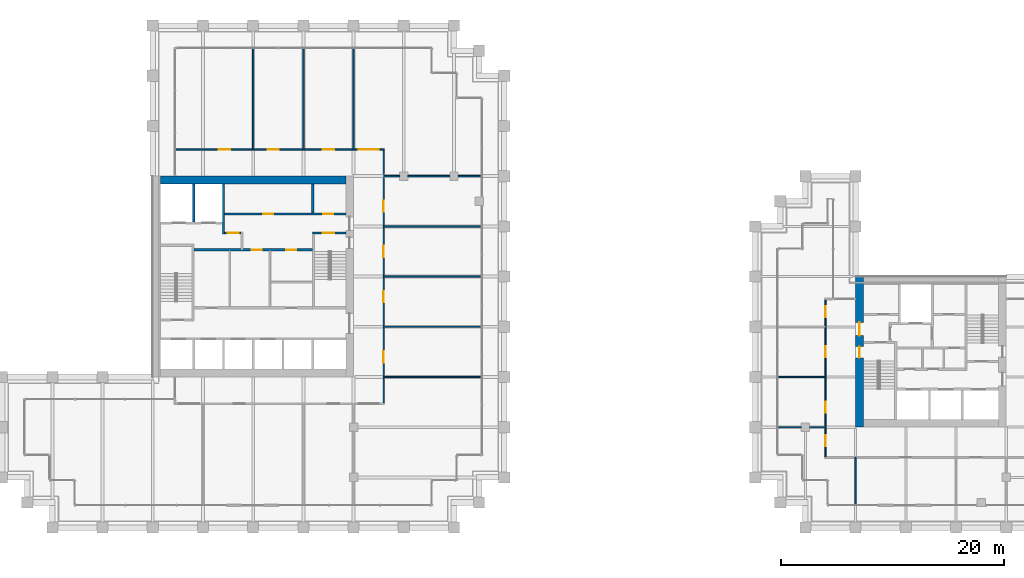
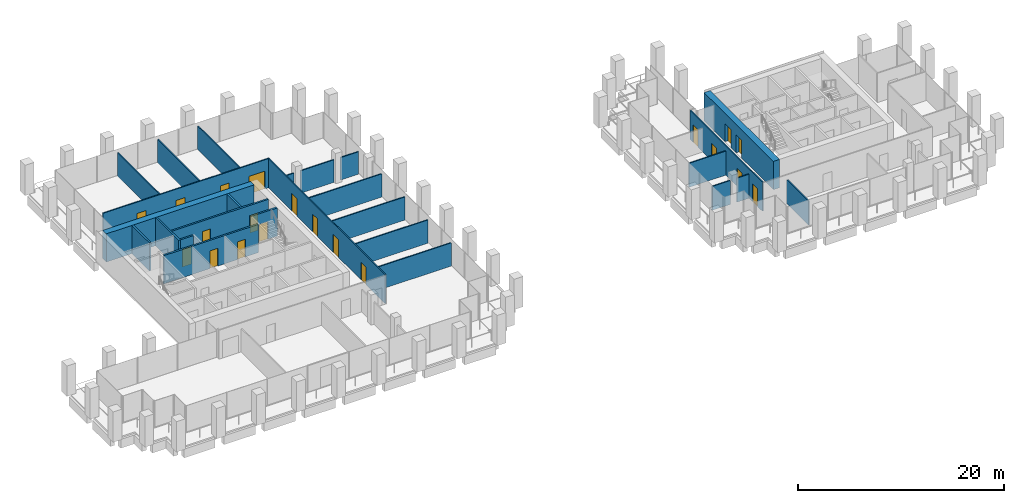
# One storey, part 42 of 47: 26 walls, 20 doors, 20 openings.
"""IFC4 building model written with IfcOpenShell, lengths in metres."""

from ifc_helpers import new_model, si_unit, direction, frame, frame_2d, origin, place, context, subcontext, project, spatial, rectangle, extrude, material, layer, layer_set, type_object, element, fill, save


model = new_model("IFC4")

# Units and contexts
model_context = context("Model", 3, precision=1e-05, world=origin(), true_north=direction((0.0, 1.0)))
body_context = subcontext(model_context, "Body", "Model", "MODEL_VIEW")
ifc_project = project(units=[si_unit("LENGTHUNIT", "METRE"), si_unit("AREAUNIT", "SQUARE_METRE"), si_unit("VOLUMEUNIT", "CUBIC_METRE"), si_unit("PLANEANGLEUNIT", "RADIAN"), si_unit("MASSUNIT", "GRAM", prefix="KILO")], contexts=[model_context])

# Site, building, storey
site_placement = place(None, origin())
site = spatial("IfcSite", under=ifc_project, at=site_placement, CompositionType="ELEMENT")
building_placement = place(site_placement, origin())
building = spatial("IfcBuilding", under=site, at=building_placement, Name="Altepetl Exchange Towers", CompositionType="ELEMENT")
storey_placement = place(building_placement, frame((0.0, 0.0, 99.199951171875)))
storey = spatial("IfcBuildingStorey", under=building, at=storey_placement, Name="L24", CompositionType="ELEMENT", Elevation=99.199951171875)

# Wall
ifc_material_1 = material(Name="Concrete C70/85", Category="concrete")
ifc_layer_1 = layer(ifc_material_1, 0.699951171875)
ifc_layer_set_1 = layer_set([ifc_layer_1], Name="Concrete C70/85")
wall_type_1 = type_object("IfcWallType", Name="Core wall 700 reinforced concrete", PredefinedType="SHEAR", material=ifc_layer_set_1)
wall_1_placement = place(storey_placement, frame((41.199951171875, 58.14990234375, 0.0)))
element("IfcWall", 1, at=wall_1_placement, inside=storey, type_object=wall_type_1, Name="wall:A:L24:K-coreN", PredefinedType="SHEAR", context=body_context, shape_type="SweptSolid", body=[
    extrude(rectangle(XDim=16.60009765625, YDim=0.699951171875, at=frame_2d((8.300048828125, 0.0))), origin(), (0.0, 0.0, 1.0), 3.35009765625),
])

# Wall, openings, doors
wall_2_placement = place(storey_placement, frame((103.85009765625, 36.0, 0.0), z_axis=(0.0, 0.0, 1.0), x_axis=(0.0, 1.0, 0.0)))
wall_2 = element("IfcWall", 2, at=wall_2_placement, inside=storey, type_object=wall_type_1, Name="wall:B:L24:K-coreW", PredefinedType="SHEAR", context=body_context, shape_type="SweptSolid", body=[
    extrude(rectangle(XDim=13.5, YDim=0.699951171875, at=frame_2d((6.75, 0.0))), origin(), (0.0, 0.0, 1.0), 3.35009765625),
])
opening_1_placement = place(wall_2_placement, frame((8.199951171875, 0.0, 0.0)))
opening_1 = element("IfcOpeningElement", 3, at=opening_1_placement, cuts=wall_2, Name="Opening L24.B60", PredefinedType="OPENING", context=body_context, shape_type="SweptSolid", body=[
    extrude(rectangle(XDim=1.199951171875, YDim=2.10009765625, at=frame_2d((0.60009765625, 1.050048828125))), frame((0.0, 0.35986328125, 0.0), z_axis=(0.0, -1.0, 0.0), x_axis=(1.0, 0.0, 0.0)), (0.0, 0.0, 1.0), 0.719970703125),
])
opening_2_placement = place(wall_2_placement, frame((6.22509765625, 0.0, 0.0)))
opening_2 = element("IfcOpeningElement", 4, at=opening_2_placement, cuts=wall_2, Name="Opening L24.B63", PredefinedType="OPENING", context=body_context, shape_type="SweptSolid", body=[
    extrude(rectangle(XDim=1.0, YDim=2.10009765625, at=frame_2d((0.5, 1.050048828125))), frame((0.0, 0.35986328125, 0.0), z_axis=(0.0, -1.0, 0.0), x_axis=(1.0, 0.0, 0.0)), (0.0, 0.0, 1.0), 0.719970703125),
])
ifc_material_2 = material(Name="Steel and timber fire door", Category="steel")
door_type_1 = type_object("IfcDoorType", Name="Fire door 1000 x 2100 stair and lobby", OperationType="SINGLE_SWING_LEFT", PredefinedType="DOOR", material=ifc_material_2)
door_1_placement = place(opening_2_placement, frame((1.0, 0.0, 0.0), x_axis=(-1.0, 0.0, 0.0)))
door_1 = element("IfcDoor", 5, at=door_1_placement, inside=storey, type_object=door_type_1, Name="door:B:L24:K-dS1x", OperationType="SINGLE_SWING_RIGHT", OverallHeight=2.10009765625, OverallWidth=1.0, PredefinedType="DOOR", context=body_context, shape_type="SweptSolid", body=[
    extrude(rectangle(XDim=1.0, YDim=2.10009765625, at=frame_2d((0.5, 1.050048828125))), frame((0.0, 0.02490234375, 0.0), z_axis=(0.0, -1.0, 0.0), x_axis=(1.0, 0.0, 0.0)), (0.0, 0.0, 1.0), 0.050048828125),
])
fill(opening_2, door_1)
door_type_2 = type_object("IfcDoorType", Name="Fire door 1200 x 2100 lobby entry", OperationType="SINGLE_SWING_LEFT", PredefinedType="DOOR", material=ifc_material_2)
door_2_placement = place(opening_1_placement, frame((1.199951171875, 0.0, 0.0), x_axis=(-1.0, 0.0, 0.0)))
door_2 = element("IfcDoor", 6, at=door_2_placement, inside=storey, type_object=door_type_2, Name="door:B:L24:K-dLNW", OperationType="SINGLE_SWING_RIGHT", OverallHeight=2.10009765625, OverallWidth=1.199951171875, PredefinedType="DOOR", context=body_context, shape_type="SweptSolid", body=[
    extrude(rectangle(XDim=1.199951171875, YDim=2.10009765625, at=frame_2d((0.60009765625, 1.050048828125))), frame((0.0, 0.02490234375, 0.0), z_axis=(0.0, -1.0, 0.0), x_axis=(1.0, 0.0, 0.0)), (0.0, 0.0, 1.0), 0.050048828125),
])
fill(opening_1, door_2)

# Wall, opening, door
ifc_material_3 = material(Name="Concrete blockwork", Category="masonry")
ifc_layer_2 = layer(ifc_material_3, 0.199951171875)
ifc_layer_set_2 = layer_set([ifc_layer_2], Name="Concrete blockwork")
wall_type_2 = type_object("IfcWallType", Name="Lobby wall 200 blockwork", PredefinedType="PARTITIONING", material=ifc_layer_set_2)
wall_3_placement = place(storey_placement, frame((46.933349609375, 53.39990234375, 0.0)))
wall_3 = element("IfcWall", 7, at=wall_3_placement, inside=storey, type_object=wall_type_2, Name="wall:A:L24:K-ffN", PredefinedType="PARTITIONING", context=body_context, shape_type="SweptSolid", body=[
    extrude(rectangle(XDim=1.466552734375, YDim=0.199951171875, at=frame_2d((0.7333984375, 0.0))), origin(), (0.0, 0.0, 1.0), 3.35009765625),
])
opening_3_placement = place(wall_3_placement, frame((0.2666015625, 0.0, 0.0)))
opening_3 = element("IfcOpeningElement", 8, at=opening_3_placement, cuts=wall_3, Name="Opening L24.A65", PredefinedType="OPENING", context=body_context, shape_type="SweptSolid", body=[
    extrude(rectangle(XDim=1.0, YDim=2.10009765625, at=frame_2d((0.5, 1.050048828125))), frame((0.0, 0.10986328125, 0.0), z_axis=(0.0, -1.0, 0.0), x_axis=(1.0, 0.0, 0.0)), (0.0, 0.0, 1.0), 0.219970703125),
])
door_3_placement = place(opening_3_placement, frame((1.0, 0.0, 0.0), x_axis=(-1.0, 0.0, 0.0)))
door_3 = element("IfcDoor", 9, at=door_3_placement, inside=storey, type_object=door_type_1, Name="door:A:L24:K-dffN", OperationType="SINGLE_SWING_LEFT", OverallHeight=2.10009765625, OverallWidth=1.0, PredefinedType="DOOR", context=body_context, shape_type="SweptSolid", body=[
    extrude(rectangle(XDim=1.0, YDim=2.10009765625, at=frame_2d((0.5, 1.050048828125))), frame((0.0, 0.02490234375, 0.0), z_axis=(0.0, -1.0, 0.0), x_axis=(1.0, 0.0, 0.0)), (0.0, 0.0, 1.0), 0.050048828125),
])
fill(opening_3, door_3)

# Wall, openings, doors
wall_4_placement = place(storey_placement, frame((44.199951171875, 51.89990234375, 0.0)))
wall_4 = element("IfcWall", 10, at=wall_4_placement, inside=storey, type_object=wall_type_2, Name="wall:A:L24:K-zoneN", PredefinedType="PARTITIONING", context=body_context, shape_type="SweptSolid", body=[
    extrude(rectangle(XDim=10.60009765625, YDim=0.199951171875, at=frame_2d((5.300048828125, 0.0))), origin(), (0.0, 0.0, 1.0), 3.35009765625),
])
opening_4_placement = place(wall_4_placement, frame((5.175048828125, 0.0, 0.0)))
opening_4 = element("IfcOpeningElement", 11, at=opening_4_placement, cuts=wall_4, Name="Opening L24.A69", PredefinedType="OPENING", context=body_context, shape_type="SweptSolid", body=[
    extrude(rectangle(XDim=0.89990234375, YDim=2.10009765625, at=frame_2d((0.449951171875, 1.050048828125))), frame((0.0, 0.10986328125, 0.0), z_axis=(0.0, -1.0, 0.0), x_axis=(1.0, 0.0, 0.0)), (0.0, 0.0, 1.0), 0.219970703125),
])
opening_5_placement = place(wall_4_placement, frame((8.25, 0.0, 0.0)))
opening_5 = element("IfcOpeningElement", 12, at=opening_5_placement, cuts=wall_4, Name="Opening L24.A71", PredefinedType="OPENING", context=body_context, shape_type="SweptSolid", body=[
    extrude(rectangle(XDim=0.89990234375, YDim=2.10009765625, at=frame_2d((0.449951171875, 1.050048828125))), frame((0.0, 0.10986328125, 0.0), z_axis=(0.0, -1.0, 0.0), x_axis=(1.0, 0.0, 0.0)), (0.0, 0.0, 1.0), 0.219970703125),
])
door_type_3 = type_object("IfcDoorType", Name="Fire door 900 x 2100 service room", OperationType="SINGLE_SWING_LEFT", PredefinedType="DOOR", material=ifc_material_2)
door_4_placement = place(opening_4_placement, frame((0.89990234375, 0.0, 0.0), x_axis=(-1.0, 0.0, 0.0)))
door_4 = element("IfcDoor", 13, at=door_4_placement, inside=storey, type_object=door_type_3, Name="door:A:L24:K-dz2", OperationType="SINGLE_SWING_LEFT", OverallHeight=2.10009765625, OverallWidth=0.89990234375, PredefinedType="DOOR", context=body_context, shape_type="SweptSolid", body=[
    extrude(rectangle(XDim=0.89990234375, YDim=2.10009765625, at=frame_2d((0.449951171875, 1.050048828125))), frame((0.0, 0.02490234375, 0.0), z_axis=(0.0, -1.0, 0.0), x_axis=(1.0, 0.0, 0.0)), (0.0, 0.0, 1.0), 0.050048828125),
])
fill(opening_4, door_4)
door_5_placement = place(opening_5_placement, frame((0.89990234375, 0.0, 0.0), x_axis=(-1.0, 0.0, 0.0)))
door_5 = element("IfcDoor", 14, at=door_5_placement, inside=storey, type_object=door_type_3, Name="door:A:L24:K-dz4", OperationType="SINGLE_SWING_LEFT", OverallHeight=2.10009765625, OverallWidth=0.89990234375, PredefinedType="DOOR", context=body_context, shape_type="SweptSolid", body=[
    extrude(rectangle(XDim=0.89990234375, YDim=2.10009765625, at=frame_2d((0.449951171875, 1.050048828125))), frame((0.0, 0.02490234375, 0.0), z_axis=(0.0, -1.0, 0.0), x_axis=(1.0, 0.0, 0.0)), (0.0, 0.0, 1.0), 0.050048828125),
])
fill(opening_5, door_5)

# Walls
ifc_material_4 = material(Name="Timber panels on aluminium track", Category="wood")
ifc_layer_3 = layer(ifc_material_4, 0.125)
ifc_layer_set_3 = layer_set([ifc_layer_3], Name="Timber panels on aluminium track")
wall_type_3 = type_object("IfcWallType", Name="Operable acoustic partition 125", PredefinedType="MOVABLE", material=ifc_layer_set_3)
for number, where, name in (
    (15, (61.199951171875, 45.0, 0.0), "wall:A:L24:P03"),
    (16, (61.199951171875, 49.5, 0.0), "wall:A:L24:P04"),
    (17, (61.199951171875, 54.0, 0.0), "wall:A:L24:P05"),
):
    element("IfcWall", number, at=place(storey_placement, frame(where)), inside=storey, type_object=wall_type_3, Name=name, PredefinedType="MOVABLE", context=body_context, shape_type="SweptSolid", body=[
        extrude(rectangle(XDim=8.699951171875, YDim=0.125, at=frame_2d((4.35009765625, 0.0))), origin(), (0.0, 0.0, 1.0), 2.76611328125),
    ])
wall_5_placement = place(storey_placement, frame((96.60009765625, 40.5, 0.0)))
element("IfcWall", 18, at=wall_5_placement, inside=storey, type_object=wall_type_3, Name="wall:B:L24:P05", PredefinedType="MOVABLE", context=body_context, shape_type="SweptSolid", body=[
    extrude(rectangle(XDim=4.199951171875, YDim=0.125, at=frame_2d((2.10009765625, 0.0))), origin(), (0.0, 0.0, 1.0), 2.85107421875),
])
ifc_material_5 = material(Name="Gypsum board on steel studs", Category="steel")
ifc_layer_4 = layer(ifc_material_5, 0.125)
ifc_layer_set_4 = layer_set([ifc_layer_4], Name="Gypsum board on steel studs")
wall_type_4 = type_object("IfcWallType", Name="Partition 125 gypsum board on steel studs", PredefinedType="PARTITIONING", material=ifc_layer_set_4)
wall_6_placement = place(storey_placement, frame((61.199951171875, 40.5, 0.0)))
element("IfcWall", 19, at=wall_6_placement, inside=storey, type_object=wall_type_4, Name="wall:A:L24:P02", PredefinedType="PARTITIONING", context=body_context, shape_type="SweptSolid", body=[
    extrude(rectangle(XDim=8.699951171875, YDim=0.125, at=frame_2d((4.35009765625, 0.0))), origin(), (0.0, 0.0, 1.0), 2.76611328125),
])
wall_7_placement = place(storey_placement, frame((61.199951171875, 58.5, 0.0)))
element("IfcWall", 20, at=wall_7_placement, inside=storey, type_object=wall_type_4, Name="wall:A:L24:P06", PredefinedType="PARTITIONING", context=body_context, shape_type="SweptSolid", body=[
    extrude(rectangle(XDim=1.425048828125, YDim=0.125, at=frame_2d((0.71240234375, 0.0))), origin(), (0.0, 0.0, 1.0), 2.676025390625),
])
wall_8_placement = place(storey_placement, frame((63.375, 58.5, 0.0)))
element("IfcWall", 21, at=wall_8_placement, inside=storey, type_object=wall_type_4, Name="wall:A:L24:P07", PredefinedType="PARTITIONING", context=body_context, shape_type="SweptSolid", body=[
    extrude(rectangle(XDim=3.75, YDim=0.125, at=frame_2d((1.875, 0.0))), origin(), (0.0, 0.0, 1.0), 2.676025390625),
])
wall_9_placement = place(storey_placement, frame((67.875, 58.5, 0.0)))
element("IfcWall", 22, at=wall_9_placement, inside=storey, type_object=wall_type_4, Name="wall:A:L24:P08", PredefinedType="PARTITIONING", context=body_context, shape_type="SweptSolid", body=[
    extrude(rectangle(XDim=2.02490234375, YDim=0.125, at=frame_2d((1.012451171875, 0.0))), origin(), (0.0, 0.0, 1.0), 2.676025390625),
])

# Wall, openings, doors
wall_10_placement = place(storey_placement, frame((42.60009765625, 60.89990234375, 0.0)))
wall_10 = element("IfcWall", 23, at=wall_10_placement, inside=storey, type_object=wall_type_4, Name="wall:A:L24:P09", PredefinedType="PARTITIONING", context=body_context, shape_type="SweptSolid", body=[
    extrude(rectangle(XDim=18.662353515625, YDim=0.125, at=frame_2d((9.3310546875, 0.0))), origin(), (0.0, 0.0, 1.0), 3.449951171875),
])
opening_6_placement = place(wall_10_placement, frame((16.35009765625, 0.0, 0.0)))
opening_6 = element("IfcOpeningElement", 24, at=opening_6_placement, cuts=wall_10, Name="Opening L24.A09", PredefinedType="OPENING", context=body_context, shape_type="SweptSolid", body=[
    extrude(rectangle(XDim=1.800048828125, YDim=2.10009765625, at=frame_2d((0.89990234375, 1.050048828125))), frame((0.0, 0.072509765625, 0.0), z_axis=(0.0, -1.0, 0.0), x_axis=(1.0, 0.0, 0.0)), (0.0, 0.0, 1.0), 0.14501953125),
])
opening_7_placement = place(wall_10_placement, frame((13.14990234375, 0.0, 0.0)))
opening_7 = element("IfcOpeningElement", 25, at=opening_7_placement, cuts=wall_10, Name="Opening L24.A10", PredefinedType="OPENING", context=body_context, shape_type="SweptSolid", body=[
    extrude(rectangle(XDim=1.0, YDim=2.10009765625, at=frame_2d((0.5, 1.050048828125))), frame((0.0, 0.072509765625, 0.0), z_axis=(0.0, -1.0, 0.0), x_axis=(1.0, 0.0, 0.0)), (0.0, 0.0, 1.0), 0.14501953125),
])
opening_8_placement = place(wall_10_placement, frame((8.195068359375, 0.0, 0.0)))
opening_8 = element("IfcOpeningElement", 26, at=opening_8_placement, cuts=wall_10, Name="Opening L24.A11", PredefinedType="OPENING", context=body_context, shape_type="SweptSolid", body=[
    extrude(rectangle(XDim=1.0, YDim=2.10009765625, at=frame_2d((0.5, 1.050048828125))), frame((0.0, 0.072509765625, 0.0), z_axis=(0.0, -1.0, 0.0), x_axis=(1.0, 0.0, 0.0)), (0.0, 0.0, 1.0), 0.14501953125),
])
opening_9_placement = place(wall_10_placement, frame((3.824951171875, 0.0, 0.0)))
opening_9 = element("IfcOpeningElement", 27, at=opening_9_placement, cuts=wall_10, Name="Opening L24.A12", PredefinedType="OPENING", context=body_context, shape_type="SweptSolid", body=[
    extrude(rectangle(XDim=1.0, YDim=2.10009765625, at=frame_2d((0.5, 1.050048828125))), frame((0.0, 0.072509765625, 0.0), z_axis=(0.0, -1.0, 0.0), x_axis=(1.0, 0.0, 0.0)), (0.0, 0.0, 1.0), 0.14501953125),
])
door_type_4 = type_object("IfcDoorType", Name="Fire door 1000 x 2100 single leaf", OperationType="SINGLE_SWING_LEFT", PredefinedType="DOOR", material=ifc_material_2)
door_6_placement = place(opening_7_placement, origin())
door_6 = element("IfcDoor", 28, at=door_6_placement, inside=storey, type_object=door_type_4, Name="door:A:L24:10", OperationType="SINGLE_SWING_LEFT", OverallHeight=2.10009765625, OverallWidth=1.0, PredefinedType="DOOR", context=body_context, shape_type="SweptSolid", body=[
    extrude(rectangle(XDim=1.0, YDim=2.10009765625, at=frame_2d((0.5, 1.050048828125))), frame((0.0, 0.02490234375, 0.0), z_axis=(0.0, -1.0, 0.0), x_axis=(1.0, 0.0, 0.0)), (0.0, 0.0, 1.0), 0.050048828125),
])
fill(opening_7, door_6)
door_7_placement = place(opening_8_placement, origin())
door_7 = element("IfcDoor", 29, at=door_7_placement, inside=storey, type_object=door_type_4, Name="door:A:L24:11", OperationType="SINGLE_SWING_RIGHT", OverallHeight=2.10009765625, OverallWidth=1.0, PredefinedType="DOOR", context=body_context, shape_type="SweptSolid", body=[
    extrude(rectangle(XDim=1.0, YDim=2.10009765625, at=frame_2d((0.5, 1.050048828125))), frame((0.0, 0.02490234375, 0.0), z_axis=(0.0, -1.0, 0.0), x_axis=(1.0, 0.0, 0.0)), (0.0, 0.0, 1.0), 0.050048828125),
])
fill(opening_8, door_7)
door_8_placement = place(opening_9_placement, origin())
door_8 = element("IfcDoor", 30, at=door_8_placement, inside=storey, type_object=door_type_4, Name="door:A:L24:12", OperationType="SINGLE_SWING_LEFT", OverallHeight=2.10009765625, OverallWidth=1.0, PredefinedType="DOOR", context=body_context, shape_type="SweptSolid", body=[
    extrude(rectangle(XDim=1.0, YDim=2.10009765625, at=frame_2d((0.5, 1.050048828125))), frame((0.0, 0.02490234375, 0.0), z_axis=(0.0, -1.0, 0.0), x_axis=(1.0, 0.0, 0.0)), (0.0, 0.0, 1.0), 0.050048828125),
])
fill(opening_9, door_8)
door_type_5 = type_object("IfcDoorType", Name="Fire door 1800 x 2100 double leaf", OperationType="DOUBLE_DOOR_SINGLE_SWING", PredefinedType="DOOR", material=ifc_material_2)
door_9_placement = place(opening_6_placement, origin())
door_9 = element("IfcDoor", 31, at=door_9_placement, inside=storey, type_object=door_type_5, Name="door:A:L24:09", OperationType="DOUBLE_DOOR_SINGLE_SWING", OverallHeight=2.10009765625, OverallWidth=1.800048828125, PredefinedType="DOOR", context=body_context, shape_type="SweptSolid", body=[
    extrude(rectangle(XDim=1.800048828125, YDim=2.10009765625, at=frame_2d((0.89990234375, 1.050048828125))), frame((0.0, 0.02490234375, 0.0), z_axis=(0.0, -1.0, 0.0), x_axis=(1.0, 0.0, 0.0)), (0.0, 0.0, 1.0), 0.050048828125),
])
fill(opening_6, door_9)

# Walls
for number, where, z_axis, x_axis, name in (
    (32, (49.5, 60.89990234375, 0.0), (0.0, 0.0, 1.0), (0.0, 1.0, 0.0), "wall:A:L24:P12"),
    (33, (54.0, 60.89990234375, 0.0), (0.0, 0.0, 1.0), (0.0, 1.0, 0.0), "wall:A:L24:P14"),
    (34, (58.5, 60.89990234375, 0.0), (0.0, 0.0, 1.0), (0.0, 1.0, 0.0), "wall:A:L24:P18"),
):
    element("IfcWall", number, at=place(storey_placement, frame(where, z_axis=z_axis, x_axis=x_axis)), inside=storey, type_object=wall_type_4, Name=name, PredefinedType="PARTITIONING", context=body_context, shape_type="SweptSolid", body=[
        extrude(rectangle(XDim=9.0, YDim=0.125, at=frame_2d((4.5, 0.0))), origin(), (0.0, 0.0, 1.0), 2.76611328125),
    ])

# Wall, openings, doors
wall_11_placement = place(storey_placement, frame((61.199951171875, 38.16259765625, 0.0), z_axis=(0.0, 0.0, 1.0), x_axis=(0.0, 1.0, 0.0)))
wall_11 = element("IfcWall", 35, at=wall_11_placement, inside=storey, type_object=wall_type_4, Name="wall:A:L24:P19", PredefinedType="PARTITIONING", context=body_context, shape_type="SweptSolid", body=[
    extrude(rectangle(XDim=22.6748046875, YDim=0.125, at=frame_2d((11.33740234375, 0.0))), origin(), (0.0, 0.0, 1.0), 3.449951171875),
])
opening_10_placement = place(wall_11_placement, frame((3.632568359375, 0.0, 0.0)))
opening_10 = element("IfcOpeningElement", 36, at=opening_10_placement, cuts=wall_11, Name="Opening L24.A05", PredefinedType="OPENING", context=body_context, shape_type="SweptSolid", body=[
    extrude(rectangle(XDim=1.0, YDim=2.10009765625, at=frame_2d((0.5, 1.050048828125))), frame((0.0, 0.072509765625, 0.0), z_axis=(0.0, -1.0, 0.0), x_axis=(1.0, 0.0, 0.0)), (0.0, 0.0, 1.0), 0.14501953125),
])
opening_11_placement = place(wall_11_placement, frame((9.04248046875, 0.0, 0.0)))
opening_11 = element("IfcOpeningElement", 37, at=opening_11_placement, cuts=wall_11, Name="Opening L24.A06", PredefinedType="OPENING", context=body_context, shape_type="SweptSolid", body=[
    extrude(rectangle(XDim=1.0, YDim=2.10009765625, at=frame_2d((0.5, 1.050048828125))), frame((0.0, 0.072509765625, 0.0), z_axis=(0.0, -1.0, 0.0), x_axis=(1.0, 0.0, 0.0)), (0.0, 0.0, 1.0), 0.14501953125),
])
opening_12_placement = place(wall_11_placement, frame((13.08740234375, 0.0, 0.0)))
opening_12 = element("IfcOpeningElement", 38, at=opening_12_placement, cuts=wall_11, Name="Opening L24.A07", PredefinedType="OPENING", context=body_context, shape_type="SweptSolid", body=[
    extrude(rectangle(XDim=1.0, YDim=2.10009765625, at=frame_2d((0.5, 1.050048828125))), frame((0.0, 0.072509765625, 0.0), z_axis=(0.0, -1.0, 0.0), x_axis=(1.0, 0.0, 0.0)), (0.0, 0.0, 1.0), 0.14501953125),
])
opening_13_placement = place(wall_11_placement, frame((17.132568359375, 0.0, 0.0)))
opening_13 = element("IfcOpeningElement", 39, at=opening_13_placement, cuts=wall_11, Name="Opening L24.A08", PredefinedType="OPENING", context=body_context, shape_type="SweptSolid", body=[
    extrude(rectangle(XDim=1.0, YDim=2.10009765625, at=frame_2d((0.5, 1.050048828125))), frame((0.0, 0.072509765625, 0.0), z_axis=(0.0, -1.0, 0.0), x_axis=(1.0, 0.0, 0.0)), (0.0, 0.0, 1.0), 0.14501953125),
])
door_10_placement = place(opening_10_placement, frame((1.0, 0.0, 0.0), x_axis=(-1.0, 0.0, 0.0)))
door_10 = element("IfcDoor", 40, at=door_10_placement, inside=storey, type_object=door_type_4, Name="door:A:L24:05", OperationType="SINGLE_SWING_LEFT", OverallHeight=2.10009765625, OverallWidth=1.0, PredefinedType="DOOR", context=body_context, shape_type="SweptSolid", body=[
    extrude(rectangle(XDim=1.0, YDim=2.10009765625, at=frame_2d((0.5, 1.050048828125))), frame((0.0, 0.02490234375, 0.0), z_axis=(0.0, -1.0, 0.0), x_axis=(1.0, 0.0, 0.0)), (0.0, 0.0, 1.0), 0.050048828125),
])
fill(opening_10, door_10)
door_11_placement = place(opening_11_placement, frame((1.0, 0.0, 0.0), x_axis=(-1.0, 0.0, 0.0)))
door_11 = element("IfcDoor", 41, at=door_11_placement, inside=storey, type_object=door_type_4, Name="door:A:L24:06", OperationType="SINGLE_SWING_RIGHT", OverallHeight=2.10009765625, OverallWidth=1.0, PredefinedType="DOOR", context=body_context, shape_type="SweptSolid", body=[
    extrude(rectangle(XDim=1.0, YDim=2.10009765625, at=frame_2d((0.5, 1.050048828125))), frame((0.0, 0.02490234375, 0.0), z_axis=(0.0, -1.0, 0.0), x_axis=(1.0, 0.0, 0.0)), (0.0, 0.0, 1.0), 0.050048828125),
])
fill(opening_11, door_11)
door_12_placement = place(opening_12_placement, frame((1.0, 0.0, 0.0), x_axis=(-1.0, 0.0, 0.0)))
door_12 = element("IfcDoor", 42, at=door_12_placement, inside=storey, type_object=door_type_4, Name="door:A:L24:07", OperationType="SINGLE_SWING_LEFT", OverallHeight=2.10009765625, OverallWidth=1.0, PredefinedType="DOOR", context=body_context, shape_type="SweptSolid", body=[
    extrude(rectangle(XDim=1.0, YDim=2.10009765625, at=frame_2d((0.5, 1.050048828125))), frame((0.0, 0.02490234375, 0.0), z_axis=(0.0, -1.0, 0.0), x_axis=(1.0, 0.0, 0.0)), (0.0, 0.0, 1.0), 0.050048828125),
])
fill(opening_12, door_12)
door_13_placement = place(opening_13_placement, frame((1.0, 0.0, 0.0), x_axis=(-1.0, 0.0, 0.0)))
door_13 = element("IfcDoor", 43, at=door_13_placement, inside=storey, type_object=door_type_4, Name="door:A:L24:08", OperationType="SINGLE_SWING_RIGHT", OverallHeight=2.10009765625, OverallWidth=1.0, PredefinedType="DOOR", context=body_context, shape_type="SweptSolid", body=[
    extrude(rectangle(XDim=1.0, YDim=2.10009765625, at=frame_2d((0.5, 1.050048828125))), frame((0.0, 0.02490234375, 0.0), z_axis=(0.0, -1.0, 0.0), x_axis=(1.0, 0.0, 0.0)), (0.0, 0.0, 1.0), 0.050048828125),
])
fill(opening_13, door_13)

# Walls
wall_12_placement = place(storey_placement, frame((96.60009765625, 36.0, 0.0)))
element("IfcWall", 44, at=wall_12_placement, inside=storey, type_object=wall_type_4, Name="wall:B:L24:P02", PredefinedType="PARTITIONING", context=body_context, shape_type="SweptSolid", body=[
    extrude(rectangle(XDim=2.02490234375, YDim=0.125, at=frame_2d((1.012451171875, 0.0))), origin(), (0.0, 0.0, 1.0), 2.842041015625),
])
wall_13_placement = place(storey_placement, frame((99.375, 36.0, 0.0)))
element("IfcWall", 45, at=wall_13_placement, inside=storey, type_object=wall_type_4, Name="wall:B:L24:P03", PredefinedType="PARTITIONING", context=body_context, shape_type="SweptSolid", body=[
    extrude(rectangle(XDim=1.425048828125, YDim=0.125, at=frame_2d((0.71240234375, 0.0))), origin(), (0.0, 0.0, 1.0), 2.842041015625),
])

# Wall, openings, doors
wall_14_placement = place(storey_placement, frame((100.800048828125, 33.362548828125, 0.0), z_axis=(0.0, 0.0, 1.0), x_axis=(0.0, 1.0, 0.0)))
wall_14 = element("IfcWall", 46, at=wall_14_placement, inside=storey, type_object=wall_type_4, Name="wall:B:L24:P10", PredefinedType="PARTITIONING", context=body_context, shape_type="SweptSolid", body=[
    extrude(rectangle(XDim=14.074951171875, YDim=0.125, at=frame_2d((7.03759765625, 0.0))), origin(), (0.0, 0.0, 1.0), 3.449951171875),
])
opening_14_placement = place(wall_14_placement, frame((8.887451171875, 0.0, 0.0)))
opening_14 = element("IfcOpeningElement", 47, at=opening_14_placement, cuts=wall_14, Name="Opening L24.B01", PredefinedType="OPENING", context=body_context, shape_type="SweptSolid", body=[
    extrude(rectangle(XDim=1.0, YDim=2.10009765625, at=frame_2d((0.5, 1.050048828125))), frame((0.0, 0.072509765625, 0.0), z_axis=(0.0, -1.0, 0.0), x_axis=(1.0, 0.0, 0.0)), (0.0, 0.0, 1.0), 0.14501953125),
])
opening_15_placement = place(wall_14_placement, frame((3.9326171875, 0.0, 0.0)))
opening_15 = element("IfcOpeningElement", 48, at=opening_15_placement, cuts=wall_14, Name="Opening L24.B02", PredefinedType="OPENING", context=body_context, shape_type="SweptSolid", body=[
    extrude(rectangle(XDim=1.0, YDim=2.10009765625, at=frame_2d((0.5, 1.050048828125))), frame((0.0, 0.072509765625, 0.0), z_axis=(0.0, -1.0, 0.0), x_axis=(1.0, 0.0, 0.0)), (0.0, 0.0, 1.0), 0.14501953125),
])
opening_16_placement = place(wall_14_placement, frame((0.927490234375, 0.0, 0.0)))
opening_16 = element("IfcOpeningElement", 49, at=opening_16_placement, cuts=wall_14, Name="Opening L24.B03", PredefinedType="OPENING", context=body_context, shape_type="SweptSolid", body=[
    extrude(rectangle(XDim=1.0, YDim=2.10009765625, at=frame_2d((0.5, 1.050048828125))), frame((0.0, 0.072509765625, 0.0), z_axis=(0.0, -1.0, 0.0), x_axis=(1.0, 0.0, 0.0)), (0.0, 0.0, 1.0), 0.14501953125),
])
opening_17_placement = place(wall_14_placement, frame((12.492431640625, 0.0, 0.0)))
opening_17 = element("IfcOpeningElement", 50, at=opening_17_placement, cuts=wall_14, Name="Opening L24.B09", PredefinedType="OPENING", context=body_context, shape_type="SweptSolid", body=[
    extrude(rectangle(XDim=1.0, YDim=2.10009765625, at=frame_2d((0.5, 1.050048828125))), frame((0.0, 0.072509765625, 0.0), z_axis=(0.0, -1.0, 0.0), x_axis=(1.0, 0.0, 0.0)), (0.0, 0.0, 1.0), 0.14501953125),
])
door_14_placement = place(opening_14_placement, origin())
door_14 = element("IfcDoor", 51, at=door_14_placement, inside=storey, type_object=door_type_4, Name="door:B:L24:01", OperationType="SINGLE_SWING_RIGHT", OverallHeight=2.10009765625, OverallWidth=1.0, PredefinedType="DOOR", context=body_context, shape_type="SweptSolid", body=[
    extrude(rectangle(XDim=1.0, YDim=2.10009765625, at=frame_2d((0.5, 1.050048828125))), frame((0.0, 0.02490234375, 0.0), z_axis=(0.0, -1.0, 0.0), x_axis=(1.0, 0.0, 0.0)), (0.0, 0.0, 1.0), 0.050048828125),
])
fill(opening_14, door_14)
door_15_placement = place(opening_15_placement, origin())
door_15 = element("IfcDoor", 52, at=door_15_placement, inside=storey, type_object=door_type_4, Name="door:B:L24:02", OperationType="SINGLE_SWING_LEFT", OverallHeight=2.10009765625, OverallWidth=1.0, PredefinedType="DOOR", context=body_context, shape_type="SweptSolid", body=[
    extrude(rectangle(XDim=1.0, YDim=2.10009765625, at=frame_2d((0.5, 1.050048828125))), frame((0.0, 0.02490234375, 0.0), z_axis=(0.0, -1.0, 0.0), x_axis=(1.0, 0.0, 0.0)), (0.0, 0.0, 1.0), 0.050048828125),
])
fill(opening_15, door_15)
door_16_placement = place(opening_16_placement, frame((1.0, 0.0, 0.0), x_axis=(-1.0, 0.0, 0.0)))
door_16 = element("IfcDoor", 53, at=door_16_placement, inside=storey, type_object=door_type_4, Name="door:B:L24:03", OperationType="SINGLE_SWING_RIGHT", OverallHeight=2.10009765625, OverallWidth=1.0, PredefinedType="DOOR", context=body_context, shape_type="SweptSolid", body=[
    extrude(rectangle(XDim=1.0, YDim=2.10009765625, at=frame_2d((0.5, 1.050048828125))), frame((0.0, 0.02490234375, 0.0), z_axis=(0.0, -1.0, 0.0), x_axis=(1.0, 0.0, 0.0)), (0.0, 0.0, 1.0), 0.050048828125),
])
fill(opening_16, door_16)
door_17_placement = place(opening_17_placement, origin())
door_17 = element("IfcDoor", 54, at=door_17_placement, inside=storey, type_object=door_type_4, Name="door:B:L24:09", OperationType="SINGLE_SWING_RIGHT", OverallHeight=2.10009765625, OverallWidth=1.0, PredefinedType="DOOR", context=body_context, shape_type="SweptSolid", body=[
    extrude(rectangle(XDim=1.0, YDim=2.10009765625, at=frame_2d((0.5, 1.050048828125))), frame((0.0, 0.02490234375, 0.0), z_axis=(0.0, -1.0, 0.0), x_axis=(1.0, 0.0, 0.0)), (0.0, 0.0, 1.0), 0.050048828125),
])
fill(opening_17, door_17)

# Walls
wall_15_placement = place(storey_placement, frame((103.5, 29.10009765625, 0.0), z_axis=(0.0, 0.0, 1.0), x_axis=(0.0, 1.0, 0.0)))
element("IfcWall", 55, at=wall_15_placement, inside=storey, type_object=wall_type_4, Name="wall:B:L24:P11", PredefinedType="PARTITIONING", context=body_context, shape_type="SweptSolid", body=[
    extrude(rectangle(XDim=4.199951171875, YDim=0.125, at=frame_2d((2.10009765625, 0.0))), origin(), (0.0, 0.0, 1.0), 2.85107421875),
])
ifc_material_6 = material(Name="Concrete C40/50", Category="concrete")
ifc_layer_5 = layer(ifc_material_6, 0.199951171875)
ifc_layer_set_5 = layer_set([ifc_layer_5], Name="Concrete C40/50")
wall_type_5 = type_object("IfcWallType", Name="Shaft wall 200 reinforced concrete", PredefinedType="SHEAR", material=ifc_layer_set_5)
wall_16_placement = place(storey_placement, frame((44.166748046875, 57.800048828125, 0.0), z_axis=(0.0, 0.0, 1.0), x_axis=(0.0, -1.0, 0.0)))
element("IfcWall", 56, at=wall_16_placement, inside=storey, type_object=wall_type_5, Name="wall:A:L24:K-divN1", PredefinedType="SHEAR", context=body_context, shape_type="SweptSolid", body=[
    extrude(rectangle(XDim=3.400146484375, YDim=0.199951171875, at=frame_2d((1.7001953125, 0.0))), origin(), (0.0, 0.0, 1.0), 3.35009765625),
])
wall_17_placement = place(storey_placement, frame((46.833251953125, 57.800048828125, 0.0), z_axis=(0.0, 0.0, 1.0), x_axis=(0.0, -1.0, 0.0)))
element("IfcWall", 57, at=wall_17_placement, inside=storey, type_object=wall_type_5, Name="wall:A:L24:K-divN2", PredefinedType="SHEAR", context=body_context, shape_type="SweptSolid", body=[
    extrude(rectangle(XDim=4.5, YDim=0.199951171875, at=frame_2d((2.25, 0.0))), origin(), (0.0, 0.0, 1.0), 3.35009765625),
])
wall_18_placement = place(storey_placement, frame((54.833251953125, 57.800048828125, 0.0), z_axis=(0.0, 0.0, 1.0), x_axis=(0.0, -1.0, 0.0)))
element("IfcWall", 58, at=wall_18_placement, inside=storey, type_object=wall_type_5, Name="wall:A:L24:K-divN5", PredefinedType="SHEAR", context=body_context, shape_type="SweptSolid", body=[
    extrude(rectangle(XDim=2.60009765625, YDim=0.199951171875, at=frame_2d((1.300048828125, 0.0))), origin(), (0.0, 0.0, 1.0), 3.35009765625),
])

# Wall, openings, doors
wall_19_placement = place(storey_placement, frame((46.933349609375, 55.10009765625, 0.0)))
wall_19 = element("IfcWall", 59, at=wall_19_placement, inside=storey, type_object=wall_type_5, Name="wall:A:L24:K-frontNb", PredefinedType="SHEAR", context=body_context, shape_type="SweptSolid", body=[
    extrude(rectangle(XDim=10.86669921875, YDim=0.199951171875, at=frame_2d((5.433349609375, 0.0))), origin(), (0.0, 0.0, 1.0), 3.35009765625),
])
opening_18_placement = place(wall_19_placement, frame((8.83349609375, 0.0, 0.0)))
opening_18 = element("IfcOpeningElement", 60, at=opening_18_placement, cuts=wall_19, Name="Opening L24.A66", PredefinedType="OPENING", context=body_context, shape_type="SweptSolid", body=[
    extrude(rectangle(XDim=0.89990234375, YDim=2.10009765625, at=frame_2d((0.449951171875, 1.050048828125))), frame((0.0, 0.10986328125, 0.0), z_axis=(0.0, -1.0, 0.0), x_axis=(1.0, 0.0, 0.0)), (0.0, 0.0, 1.0), 0.219970703125),
])
opening_19_placement = place(wall_19_placement, frame((3.449951171875, 0.0, 0.0)))
opening_19 = element("IfcOpeningElement", 61, at=opening_19_placement, cuts=wall_19, Name="Opening L24.A67", PredefinedType="OPENING", context=body_context, shape_type="SweptSolid", body=[
    extrude(rectangle(XDim=0.89990234375, YDim=2.10009765625, at=frame_2d((0.449951171875, 1.050048828125))), frame((0.0, 0.10986328125, 0.0), z_axis=(0.0, -1.0, 0.0), x_axis=(1.0, 0.0, 0.0)), (0.0, 0.0, 1.0), 0.219970703125),
])
door_18_placement = place(opening_18_placement, origin())
door_18 = element("IfcDoor", 62, at=door_18_placement, inside=storey, type_object=door_type_3, Name="door:A:L24:K-driser", OperationType="SINGLE_SWING_RIGHT", OverallHeight=2.10009765625, OverallWidth=0.89990234375, PredefinedType="DOOR", context=body_context, shape_type="SweptSolid", body=[
    extrude(rectangle(XDim=0.89990234375, YDim=2.10009765625, at=frame_2d((0.449951171875, 1.050048828125))), frame((0.0, 0.02490234375, 0.0), z_axis=(0.0, -1.0, 0.0), x_axis=(1.0, 0.0, 0.0)), (0.0, 0.0, 1.0), 0.050048828125),
])
fill(opening_18, door_18)
door_19_placement = place(opening_19_placement, origin())
door_19 = element("IfcDoor", 63, at=door_19_placement, inside=storey, type_object=door_type_3, Name="door:A:L24:K-dslotN2", OperationType="SINGLE_SWING_RIGHT", OverallHeight=2.10009765625, OverallWidth=0.89990234375, PredefinedType="DOOR", context=body_context, shape_type="SweptSolid", body=[
    extrude(rectangle(XDim=0.89990234375, YDim=2.10009765625, at=frame_2d((0.449951171875, 1.050048828125))), frame((0.0, 0.02490234375, 0.0), z_axis=(0.0, -1.0, 0.0), x_axis=(1.0, 0.0, 0.0)), (0.0, 0.0, 1.0), 0.050048828125),
])
fill(opening_19, door_19)

# Wall, opening, door
ifc_layer_6 = layer(ifc_material_6, 0.199951171875)
ifc_layer_set_6 = layer_set([ifc_layer_6], Name="Concrete C40/50")
wall_type_6 = type_object("IfcWallType", Name="Stair wall 200 reinforced concrete", PredefinedType="SHEAR", material=ifc_layer_set_6)
wall_20_placement = place(storey_placement, frame((54.800048828125, 53.39990234375, 0.0)))
wall_20 = element("IfcWall", 64, at=wall_20_placement, inside=storey, type_object=wall_type_6, Name="wall:A:L24:K-stS2N", PredefinedType="SHEAR", context=body_context, shape_type="SweptSolid", body=[
    extrude(rectangle(XDim=3.0, YDim=0.199951171875, at=frame_2d((1.5, 0.0))), origin(), (0.0, 0.0, 1.0), 3.35009765625),
])
opening_20_placement = place(wall_20_placement, frame((0.949951171875, 0.0, 0.0)))
opening_20 = element("IfcOpeningElement", 65, at=opening_20_placement, cuts=wall_20, Name="Opening L24.A63", PredefinedType="OPENING", context=body_context, shape_type="SweptSolid", body=[
    extrude(rectangle(XDim=1.0, YDim=2.10009765625, at=frame_2d((0.5, 1.050048828125))), frame((0.0, 0.10986328125, 0.0), z_axis=(0.0, -1.0, 0.0), x_axis=(1.0, 0.0, 0.0)), (0.0, 0.0, 1.0), 0.219970703125),
])
door_20_placement = place(opening_20_placement, frame((1.0, 0.0, 0.0), x_axis=(-1.0, 0.0, 0.0)))
door_20 = element("IfcDoor", 66, at=door_20_placement, inside=storey, type_object=door_type_1, Name="door:A:L24:K-dS2in", OperationType="SINGLE_SWING_LEFT", OverallHeight=2.10009765625, OverallWidth=1.0, PredefinedType="DOOR", context=body_context, shape_type="SweptSolid", body=[
    extrude(rectangle(XDim=1.0, YDim=2.10009765625, at=frame_2d((0.5, 1.050048828125))), frame((0.0, 0.02490234375, 0.0), z_axis=(0.0, -1.0, 0.0), x_axis=(1.0, 0.0, 0.0)), (0.0, 0.0, 1.0), 0.050048828125),
])
fill(opening_20, door_20)

save(model, "model.ifc")
